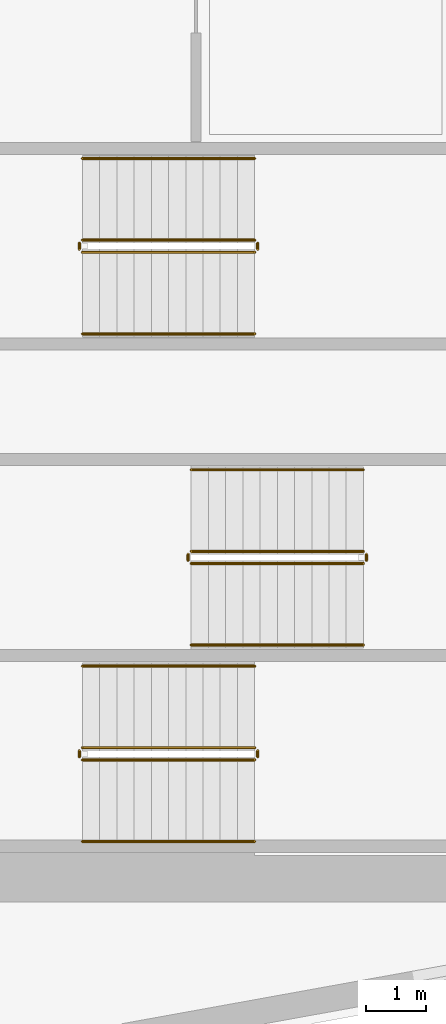
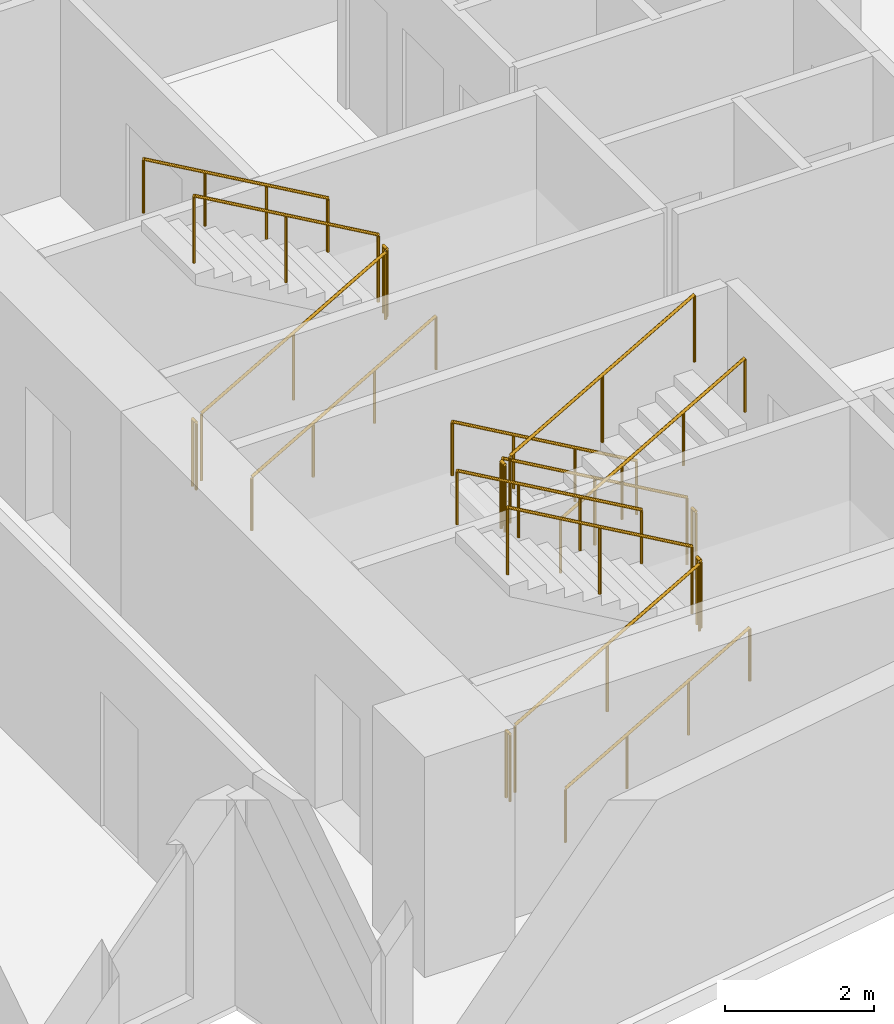
# One storey, part 17 of 18: 18 railings.
"""IFC4 building model written with IfcOpenShell, lengths in metres."""

import ifcopenshell
import ifcopenshell.guid

model = None  # the IFC model being written
_history = None  # IfcOwnerHistory: only IFC2X3 demands one
_inside = {}  # id of a spatial element -> (the spatial element, [elements in it])
_under = {}  # id of a project, library or spatial element -> (it, [spatial elements below it])
_declared = {}  # id of a project -> (the project, [libraries it declares])
_typed = {}  # id of a type object -> (the type object, [elements of that type])
_made_of = {}  # id of a material, layer set ... -> (it, [elements and type objects made of it])


def new_model(schema):
    """Start an empty IFC model of exactly this schema.

    Asked for "IFC4X3", IfcOpenShell would pick the latest addendum, in which some entities
    have other attributes; the version numbers below select the first issue.
    IFC2X3 requires an IfcOwnerHistory on every rooted entity: one is made here for all.
    """
    global model, _history
    if schema == "IFC4X3":
        model = ifcopenshell.file(schema_version=(4, 3, 0, 0))
    else:
        model = ifcopenshell.file(schema=schema)
    _inside.clear()
    _under.clear()
    _declared.clear()
    _typed.clear()
    _made_of.clear()
    _history = None
    if model.schema == "IFC2X3":
        org = make("IfcOrganization", Name="unknown")
        user = make(
            "IfcPersonAndOrganization",
            ThePerson=make("IfcPerson", FamilyName="unknown"),
            TheOrganization=org,
        )
        app = make(
            "IfcApplication",
            ApplicationDeveloper=org,
            Version="unknown",
            ApplicationFullName="unknown",
            ApplicationIdentifier="unknown",
        )
        _history = make(
            "IfcOwnerHistory",
            OwningUser=user,
            OwningApplication=app,
            ChangeAction="ADDED",
            CreationDate=0,
        )
    return model


def make(cls, **values):
    """One entity of the class cls with the attributes given. An attribute that is None is left unset."""
    return model.create_entity(
        cls, **{name: value for name, value in values.items() if value is not None}
    )


def rooted(cls, **values):
    """An entity with a GlobalId (a new one), such as an element, a storey or a relation."""
    return make(cls, GlobalId=ifcopenshell.guid.new(), OwnerHistory=_history, **values)


def si_unit(unit_type, name, prefix=None):
    """IfcSIUnit, for example si_unit("LENGTHUNIT", "METRE", prefix="MILLI")."""
    return make("IfcSIUnit", UnitType=unit_type, Prefix=prefix, Name=name)


def assignment(units):
    """IfcUnitAssignment: the units of a project."""
    return None if units is None else make("IfcUnitAssignment", Units=units)


def point(xyz):
    """IfcCartesianPoint."""
    return None if xyz is None else make("IfcCartesianPoint", Coordinates=xyz)


def direction(xyz):
    """IfcDirection."""
    return None if xyz is None else make("IfcDirection", DirectionRatios=xyz)


def frame(location, z_axis=None, x_axis=None):
    """IfcAxis2Placement3D, a coordinate frame: its origin and axes. An axis left out is left unset."""
    return make(
        "IfcAxis2Placement3D",
        Location=point(location),
        Axis=direction(z_axis),
        RefDirection=direction(x_axis),
    )


def frame_2d(location, x_axis=None):
    """IfcAxis2Placement2D, a coordinate frame in the plane: its origin and x axis."""
    return make(
        "IfcAxis2Placement2D", Location=point(location), RefDirection=direction(x_axis)
    )


def origin():
    """The frame at (0, 0, 0) with its axes left unset."""
    return frame((0.0, 0.0, 0.0))


def origin_2d():
    """The frame at (0, 0) in the plane with its x axis left unset."""
    return frame_2d((0.0, 0.0))


def place(relative_to, where):
    """IfcLocalPlacement: puts the frame where relative to a parent placement (None: the world)."""
    return make(
        "IfcLocalPlacement", PlacementRelTo=relative_to, RelativePlacement=where
    )


def context(
    kind, dimensions, precision=None, world=None, true_north=None, identifier=None
):
    """IfcGeometricRepresentationContext, for example the 3D "Model" context."""
    return make(
        "IfcGeometricRepresentationContext",
        ContextIdentifier=identifier,
        ContextType=kind,
        CoordinateSpaceDimension=dimensions,
        Precision=precision,
        WorldCoordinateSystem=world,
        TrueNorth=true_north,
    )


def subcontext(parent, identifier, kind, view, scale=None):
    """IfcGeometricRepresentationSubContext, for example "Body" below "Model"."""
    return make(
        "IfcGeometricRepresentationSubContext",
        ContextIdentifier=identifier,
        ContextType=kind,
        ParentContext=parent,
        TargetScale=scale,
        TargetView=view,
    )


def project(units=None, contexts=None):
    """IfcProject with its units and contexts."""
    return rooted(
        "IfcProject",
        Name="project",
        RepresentationContexts=contexts,
        UnitsInContext=assignment(units),
    )


def spatial(cls, under=None, at=None, **own):
    """A site, building, storey or space (cls), placed at a placement, below another one or the project."""
    s = rooted(cls, ObjectPlacement=at, **own)
    if under is not None:
        _under.setdefault(under.id(), (under, []))[1].append(s)
    return s


def profile(cls, at=None, kind="AREA", **sizes):
    """A parametric profile (cls). Its sizes go by their IFC names, for example OverallWidth=200.0."""
    return make(cls, ProfileType=kind, Position=at, **sizes)


def circle(**sizes):
    """IfcCircleProfileDef."""
    return profile("IfcCircleProfileDef", **sizes)


def extrude(swept, where, along, depth):
    """IfcExtrudedAreaSolid: the profile swept, set in the frame where, extruded along a direction by depth."""
    return make(
        "IfcExtrudedAreaSolid",
        SweptArea=swept,
        Position=where,
        ExtrudedDirection=direction(along),
        Depth=depth,
    )


def shape(context_of_items, identifier, shape_type, items):
    """IfcShapeRepresentation: the items that make up one representation, for example the "Body"."""
    return make(
        "IfcShapeRepresentation",
        ContextOfItems=context_of_items,
        RepresentationIdentifier=identifier,
        RepresentationType=shape_type,
        Items=items,
    )


def material(Name=None, Category=None):
    """IfcMaterial."""
    return make("IfcMaterial", Name=Name, Category=Category)


def made_of(thing, what):
    """Note that an element or type object is made of a material, layer set ...; save() writes the relation."""
    if what is not None:
        _made_of.setdefault(what.id(), (what, []))[1].append(thing)
    return thing


def type_object(cls, material=None, **own):
    """A type object (cls), such as IfcWallType, which elements share."""
    return made_of(rooted(cls, **own), material)


def element(
    cls,
    number,
    at=None,
    inside=None,
    cuts=None,
    type_object=None,
    material=None,
    context=None,
    identifier="Body",
    shape_type=None,
    held_by="IfcProductDefinitionShape",
    body=None,
    shapes=None,
    **own,
):
    """One element of the class cls, such as IfcWall. Its Tag is "e" and its number.

    at: its placement. inside: the storey or other place that contains it. cuts: it is an
    opening in that element (IfcRelVoidsElement). A single representation is given by context,
    identifier, shape_type and body (its items); several are given by shapes. held_by: the class
    of the entity that holds the representations. save() writes the other relations.
    """
    e = rooted(cls, Tag="e%d" % number, ObjectPlacement=at, **own)
    if body is not None:
        shapes = [shape(context, identifier, shape_type, body)]
    if shapes is not None:
        e.Representation = make(held_by, Representations=shapes)
    if inside is not None:
        _inside.setdefault(inside.id(), (inside, []))[1].append(e)
    if cuts is not None:
        rooted(
            "IfcRelVoidsElement", RelatingBuildingElement=cuts, RelatedOpeningElement=e
        )
    if type_object is not None:
        _typed.setdefault(type_object.id(), (type_object, []))[1].append(e)
    return made_of(e, material)


def aggregate(whole, parts):
    """IfcRelAggregates: a whole, such as a stair, and the parts it consists of."""
    return rooted("IfcRelAggregates", RelatingObject=whole, RelatedObjects=parts)


def save(model, path):
    """Write the relations noted so far, then the file.

    IfcRelAggregates (storeys below a building ...), IfcRelContainedInSpatialStructure (elements
    in a storey), IfcRelDefinesByType, IfcRelAssociatesMaterial and IfcRelDeclares: one each for
    every whole, place, type object, material and project.
    """
    for whole, parts in _under.values():
        aggregate(whole, parts)
    for where, things in _inside.values():
        rooted(
            "IfcRelContainedInSpatialStructure",
            RelatedElements=things,
            RelatingStructure=where,
        )
    for kind, things in _typed.values():
        rooted("IfcRelDefinesByType", RelatedObjects=things, RelatingType=kind)
    for what, things in _made_of.values():
        rooted("IfcRelAssociatesMaterial", RelatedObjects=things, RelatingMaterial=what)
    for by, libraries in _declared.values():
        rooted("IfcRelDeclares", RelatingContext=by, RelatedDefinitions=libraries)
    model.write(path)


model = new_model("IFC4")

# Units and contexts
model_context = context("Model", 3, precision=1e-05, world=origin(), true_north=direction((0.0, 1.0)))
body_context = subcontext(model_context, "Body", "Model", "MODEL_VIEW")
ifc_project = project(units=[si_unit("LENGTHUNIT", "METRE"), si_unit("AREAUNIT", "SQUARE_METRE"), si_unit("VOLUMEUNIT", "CUBIC_METRE"), si_unit("PLANEANGLEUNIT", "RADIAN"), si_unit("MASSUNIT", "GRAM", prefix="KILO")], contexts=[model_context])

# Site, building, storey
site_placement = place(None, origin())
site = spatial("IfcSite", under=ifc_project, at=site_placement, CompositionType="ELEMENT")
building_placement = place(site_placement, origin())
building = spatial("IfcBuilding", under=site, at=building_placement, Name="Narakoshi Arena Tower", CompositionType="ELEMENT")
storey_placement = place(building_placement, frame((0.0, 0.0, 110.10009765625)))
storey = spatial("IfcBuildingStorey", under=building, at=storey_placement, Name="L29", CompositionType="ELEMENT", Elevation=110.10009765625)

# Railings
ifc_material_1 = material(Name="Clear low-iron laminated structural glass", Category="glass")
railing_type_1 = type_object("IfcRailingType", Name="RL-BAL-1100", PredefinedType="BALUSTRADE", material=ifc_material_1)
railing_1_placement = place(storey_placement, frame((74.39990234375, 36.949951171875, 0.16357421875)))
element("IfcRailing", 1, at=railing_1_placement, inside=storey, type_object=railing_type_1, Name="L29 ST1 stair guard 1", PredefinedType="BALUSTRADE", context=body_context, shape_type="SweptSolid", body=[
    extrude(circle(Radius=0.02392578125, at=origin_2d()), frame((0.0, 0.0, 1.09619140625), z_axis=(0.867244780686, 0.0, 0.497882004468), x_axis=(0.0, 1.0, 0.0)), (0.0, 0.0, 1.0), 3.286376953125),
    extrude(circle(Radius=0.02099609375, at=origin_2d()), origin(), (0.0, 0.0, 1.0), 1.072021484375),
    extrude(circle(Radius=0.02099609375, at=origin_2d()), frame((1.425048828125, 0.0, 0.818115234375)), (0.0, 0.0, 1.0), 1.072021484375),
    extrude(circle(Radius=0.02099609375, at=origin_2d()), frame((2.85009765625, 0.0, 1.63623046875)), (0.0, 0.0, 1.0), 1.072021484375),
])
railing_2_placement = place(storey_placement, frame((77.300048828125, 37.0, 1.7998046875)))
element("IfcRailing", 2, at=railing_2_placement, inside=storey, type_object=railing_type_1, Name="L29 ST1 stair guard 2", PredefinedType="BALUSTRADE", context=body_context, shape_type="SweptSolid", body=[
    extrude(circle(Radius=0.02392578125, at=origin_2d()), frame((0.0, 0.0, 1.09619140625), z_axis=(0.0, 1.0, 0.0), x_axis=(-1.0, 0.0, 0.0)), (0.0, 0.0, 1.0), 0.10009765625),
    extrude(circle(Radius=0.02099609375, at=origin_2d()), origin(), (0.0, 0.0, 1.0), 1.072021484375),
    extrude(circle(Radius=0.02099609375, at=origin_2d()), frame((0.0, 0.10009765625, 0.0)), (0.0, 0.0, 1.0), 1.072021484375),
])
railing_3_placement = place(storey_placement, frame((77.25, 37.14990234375, 1.963623046875)))
element("IfcRailing", 3, at=railing_3_placement, inside=storey, type_object=railing_type_1, Name="L29 ST1 stair guard 3", PredefinedType="BALUSTRADE", context=body_context, shape_type="SweptSolid", body=[
    extrude(circle(Radius=0.02392578125, at=origin_2d()), frame((0.0, 0.0, 1.09619140625), z_axis=(-0.867244780686, 0.0, 0.497882004468), x_axis=(0.0, -1.0, 0.0)), (0.0, 0.0, 1.0), 3.286376953125),
    extrude(circle(Radius=0.02099609375, at=origin_2d()), origin(), (0.0, 0.0, 1.0), 1.072021484375),
    extrude(circle(Radius=0.02099609375, at=origin_2d()), frame((-1.425048828125, 0.0, 0.818115234375)), (0.0, 0.0, 1.0), 1.072021484375),
    extrude(circle(Radius=0.02099609375, at=origin_2d()), frame((-2.85009765625, 0.0, 1.63623046875)), (0.0, 0.0, 1.0), 1.072021484375),
])
railing_4_placement = place(storey_placement, frame((74.35009765625, 37.0, 0.0)))
element("IfcRailing", 4, at=railing_4_placement, inside=storey, type_object=railing_type_1, Name="L29 ST1 stair guard 4", PredefinedType="BALUSTRADE", context=body_context, shape_type="SweptSolid", body=[
    extrude(circle(Radius=0.02392578125, at=origin_2d()), frame((0.0, 0.0, 1.09619140625), z_axis=(0.0, 1.0, 0.0), x_axis=(-1.0, 0.0, 0.0)), (0.0, 0.0, 1.0), 0.10009765625),
    extrude(circle(Radius=0.02099609375, at=origin_2d()), origin(), (0.0, 0.0, 1.0), 1.072021484375),
    extrude(circle(Radius=0.02099609375, at=origin_2d()), frame((0.0, 0.10009765625, 0.0)), (0.0, 0.0, 1.0), 1.072021484375),
])
railing_5_placement = place(storey_placement, frame((79.050048828125, 40.39990234375, 0.16357421875)))
element("IfcRailing", 5, at=railing_5_placement, inside=storey, type_object=railing_type_1, Name="L29 ST2 stair guard 1", PredefinedType="BALUSTRADE", context=body_context, shape_type="SweptSolid", body=[
    extrude(circle(Radius=0.02392578125, at=origin_2d()), frame((0.0, 0.0, 1.09619140625), z_axis=(-0.867244780686, 0.0, 0.497882004468), x_axis=(0.0, -1.0, 0.0)), (0.0, 0.0, 1.0), 3.286376953125),
    extrude(circle(Radius=0.02099609375, at=origin_2d()), origin(), (0.0, 0.0, 1.0), 1.072021484375),
    extrude(circle(Radius=0.02099609375, at=origin_2d()), frame((-1.425048828125, 0.0, 0.818115234375)), (0.0, 0.0, 1.0), 1.072021484375),
    extrude(circle(Radius=0.02099609375, at=origin_2d()), frame((-2.85009765625, 0.0, 1.63623046875)), (0.0, 0.0, 1.0), 1.072021484375),
])
railing_6_placement = place(storey_placement, frame((76.14990234375, 40.35009765625, 1.7998046875)))
element("IfcRailing", 6, at=railing_6_placement, inside=storey, type_object=railing_type_1, Name="L29 ST2 stair guard 2", PredefinedType="BALUSTRADE", context=body_context, shape_type="SweptSolid", body=[
    extrude(circle(Radius=0.02392578125, at=origin_2d()), frame((0.0, 0.0, 1.09619140625), z_axis=(0.0, -1.0, 0.0), x_axis=(1.0, 0.0, 0.0)), (0.0, 0.0, 1.0), 0.10009765625),
    extrude(circle(Radius=0.02099609375, at=origin_2d()), origin(), (0.0, 0.0, 1.0), 1.072021484375),
    extrude(circle(Radius=0.02099609375, at=origin_2d()), frame((0.0, -0.10009765625, 0.0)), (0.0, 0.0, 1.0), 1.072021484375),
])
railing_7_placement = place(storey_placement, frame((76.199951171875, 40.199951171875, 1.963623046875)))
element("IfcRailing", 7, at=railing_7_placement, inside=storey, type_object=railing_type_1, Name="L29 ST2 stair guard 3", PredefinedType="BALUSTRADE", context=body_context, shape_type="SweptSolid", body=[
    extrude(circle(Radius=0.02392578125, at=origin_2d()), frame((0.0, 0.0, 1.09619140625), z_axis=(0.867244780686, 0.0, 0.497882004468), x_axis=(0.0, 1.0, 0.0)), (0.0, 0.0, 1.0), 3.286376953125),
    extrude(circle(Radius=0.02099609375, at=origin_2d()), origin(), (0.0, 0.0, 1.0), 1.072021484375),
    extrude(circle(Radius=0.02099609375, at=origin_2d()), frame((1.425048828125, 0.0, 0.818115234375)), (0.0, 0.0, 1.0), 1.072021484375),
    extrude(circle(Radius=0.02099609375, at=origin_2d()), frame((2.85009765625, 0.0, 1.63623046875)), (0.0, 0.0, 1.0), 1.072021484375),
])
railing_8_placement = place(storey_placement, frame((79.10009765625, 40.35009765625, 0.0)))
element("IfcRailing", 8, at=railing_8_placement, inside=storey, type_object=railing_type_1, Name="L29 ST2 stair guard 4", PredefinedType="BALUSTRADE", context=body_context, shape_type="SweptSolid", body=[
    extrude(circle(Radius=0.02392578125, at=origin_2d()), frame((0.0, 0.0, 1.09619140625), z_axis=(0.0, -1.0, 0.0), x_axis=(1.0, 0.0, 0.0)), (0.0, 0.0, 1.0), 0.10009765625),
    extrude(circle(Radius=0.02099609375, at=origin_2d()), origin(), (0.0, 0.0, 1.0), 1.072021484375),
    extrude(circle(Radius=0.02099609375, at=origin_2d()), frame((0.0, -0.10009765625, 0.0)), (0.0, 0.0, 1.0), 1.072021484375),
])
railing_9_placement = place(storey_placement, frame((74.39990234375, 45.35009765625, 0.16357421875)))
element("IfcRailing", 9, at=railing_9_placement, inside=storey, type_object=railing_type_1, Name="L29 ST3 stair guard 1", PredefinedType="BALUSTRADE", context=body_context, shape_type="SweptSolid", body=[
    extrude(circle(Radius=0.02392578125, at=origin_2d()), frame((0.0, 0.0, 1.09619140625), z_axis=(0.867244780686, 0.0, 0.497882004468), x_axis=(0.0, 1.0, 0.0)), (0.0, 0.0, 1.0), 3.286376953125),
    extrude(circle(Radius=0.02099609375, at=origin_2d()), origin(), (0.0, 0.0, 1.0), 1.072021484375),
    extrude(circle(Radius=0.02099609375, at=origin_2d()), frame((1.425048828125, 0.0, 0.818115234375)), (0.0, 0.0, 1.0), 1.072021484375),
    extrude(circle(Radius=0.02099609375, at=origin_2d()), frame((2.85009765625, 0.0, 1.63623046875)), (0.0, 0.0, 1.0), 1.072021484375),
])
railing_10_placement = place(storey_placement, frame((77.300048828125, 45.39990234375, 1.7998046875)))
element("IfcRailing", 10, at=railing_10_placement, inside=storey, type_object=railing_type_1, Name="L29 ST3 stair guard 2", PredefinedType="BALUSTRADE", context=body_context, shape_type="SweptSolid", body=[
    extrude(circle(Radius=0.02392578125, at=origin_2d()), frame((0.0, 0.0, 1.09619140625), z_axis=(0.0, 1.0, 0.0), x_axis=(-1.0, 0.0, 0.0)), (0.0, 0.0, 1.0), 0.10009765625),
    extrude(circle(Radius=0.02099609375, at=origin_2d()), origin(), (0.0, 0.0, 1.0), 1.072021484375),
    extrude(circle(Radius=0.02099609375, at=origin_2d()), frame((0.0, 0.10009765625, 0.0)), (0.0, 0.0, 1.0), 1.072021484375),
])
railing_11_placement = place(storey_placement, frame((77.25, 45.550048828125, 1.963623046875)))
element("IfcRailing", 11, at=railing_11_placement, inside=storey, type_object=railing_type_1, Name="L29 ST3 stair guard 3", PredefinedType="BALUSTRADE", context=body_context, shape_type="SweptSolid", body=[
    extrude(circle(Radius=0.02392578125, at=origin_2d()), frame((0.0, 0.0, 1.09619140625), z_axis=(-0.867244780686, 0.0, 0.497882004468), x_axis=(0.0, -1.0, 0.0)), (0.0, 0.0, 1.0), 3.286376953125),
    extrude(circle(Radius=0.02099609375, at=origin_2d()), origin(), (0.0, 0.0, 1.0), 1.072021484375),
    extrude(circle(Radius=0.02099609375, at=origin_2d()), frame((-1.425048828125, 0.0, 0.818115234375)), (0.0, 0.0, 1.0), 1.072021484375),
    extrude(circle(Radius=0.02099609375, at=origin_2d()), frame((-2.85009765625, 0.0, 1.63623046875)), (0.0, 0.0, 1.0), 1.072021484375),
])
railing_12_placement = place(storey_placement, frame((74.35009765625, 45.39990234375, 0.0)))
element("IfcRailing", 12, at=railing_12_placement, inside=storey, type_object=railing_type_1, Name="L29 ST3 stair guard 4", PredefinedType="BALUSTRADE", context=body_context, shape_type="SweptSolid", body=[
    extrude(circle(Radius=0.02392578125, at=origin_2d()), frame((0.0, 0.0, 1.09619140625), z_axis=(0.0, 1.0, 0.0), x_axis=(-1.0, 0.0, 0.0)), (0.0, 0.0, 1.0), 0.10009765625),
    extrude(circle(Radius=0.02099609375, at=origin_2d()), origin(), (0.0, 0.0, 1.0), 1.072021484375),
    extrude(circle(Radius=0.02099609375, at=origin_2d()), frame((0.0, 0.10009765625, 0.0)), (0.0, 0.0, 1.0), 1.072021484375),
])
ifc_material_2 = material(Name="Brushed bronze stainless steel", Category="steel")
railing_type_2 = type_object("IfcRailingType", Name="RL-HND-900", PredefinedType="HANDRAIL", material=ifc_material_2)
railing_13_placement = place(storey_placement, frame((74.39990234375, 35.60009765625, 0.16357421875)))
element("IfcRailing", 13, at=railing_13_placement, inside=storey, type_object=railing_type_2, Name="L29 ST1 stair handrail 1", PredefinedType="HANDRAIL", context=body_context, shape_type="SweptSolid", body=[
    extrude(circle(Radius=0.02392578125, at=origin_2d()), frame((0.0, 0.0, 0.8759765625), z_axis=(0.867244780686, 0.0, 0.497882004468), x_axis=(0.0, 1.0, 0.0)), (0.0, 0.0, 1.0), 3.286376953125),
    extrude(circle(Radius=0.02099609375, at=origin_2d()), origin(), (0.0, 0.0, 1.0), 0.851806640625),
    extrude(circle(Radius=0.02099609375, at=origin_2d()), frame((0.949951171875, 0.0, 0.54541015625)), (0.0, 0.0, 1.0), 0.851806640625),
    extrude(circle(Radius=0.02099609375, at=origin_2d()), frame((1.900146484375, 0.0, 1.0908203125)), (0.0, 0.0, 1.0), 0.851806640625),
    extrude(circle(Radius=0.02099609375, at=origin_2d()), frame((2.85009765625, 0.0, 1.63623046875)), (0.0, 0.0, 1.0), 0.851806640625),
])
for number, where, name in (
    (14, (77.25, 38.5, 1.963623046875), "L29 ST1 stair handrail 2"),
    (15, (79.050048828125, 41.75, 0.16357421875), "L29 ST2 stair handrail 1"),
):
    element("IfcRailing", number, at=place(storey_placement, frame(where)), inside=storey, type_object=railing_type_2, Name=name, PredefinedType="HANDRAIL", context=body_context, shape_type="SweptSolid", body=[
        extrude(circle(Radius=0.02392578125, at=origin_2d()), frame((0.0, 0.0, 0.8759765625), z_axis=(-0.867244780686, 0.0, 0.497882004468), x_axis=(0.0, -1.0, 0.0)), (0.0, 0.0, 1.0), 3.286376953125),
        extrude(circle(Radius=0.02099609375, at=origin_2d()), origin(), (0.0, 0.0, 1.0), 0.851806640625),
        extrude(circle(Radius=0.02099609375, at=origin_2d()), frame((-0.949951171875, 0.0, 0.54541015625)), (0.0, 0.0, 1.0), 0.851806640625),
        extrude(circle(Radius=0.02099609375, at=origin_2d()), frame((-1.900146484375, 0.0, 1.0908203125)), (0.0, 0.0, 1.0), 0.851806640625),
        extrude(circle(Radius=0.02099609375, at=origin_2d()), frame((-2.85009765625, 0.0, 1.63623046875)), (0.0, 0.0, 1.0), 0.851806640625),
    ])
for number, where, name in (
    (16, (76.199951171875, 38.85009765625, 1.963623046875), "L29 ST2 stair handrail 2"),
    (17, (74.39990234375, 44.0, 0.16357421875), "L29 ST3 stair handrail 1"),
):
    element("IfcRailing", number, at=place(storey_placement, frame(where)), inside=storey, type_object=railing_type_2, Name=name, PredefinedType="HANDRAIL", context=body_context, shape_type="SweptSolid", body=[
        extrude(circle(Radius=0.02392578125, at=origin_2d()), frame((0.0, 0.0, 0.8759765625), z_axis=(0.867244780686, 0.0, 0.497882004468), x_axis=(0.0, 1.0, 0.0)), (0.0, 0.0, 1.0), 3.286376953125),
        extrude(circle(Radius=0.02099609375, at=origin_2d()), origin(), (0.0, 0.0, 1.0), 0.851806640625),
        extrude(circle(Radius=0.02099609375, at=origin_2d()), frame((0.949951171875, 0.0, 0.54541015625)), (0.0, 0.0, 1.0), 0.851806640625),
        extrude(circle(Radius=0.02099609375, at=origin_2d()), frame((1.900146484375, 0.0, 1.0908203125)), (0.0, 0.0, 1.0), 0.851806640625),
        extrude(circle(Radius=0.02099609375, at=origin_2d()), frame((2.85009765625, 0.0, 1.63623046875)), (0.0, 0.0, 1.0), 0.851806640625),
    ])
railing_14_placement = place(storey_placement, frame((77.25, 46.89990234375, 1.963623046875)))
element("IfcRailing", 18, at=railing_14_placement, inside=storey, type_object=railing_type_2, Name="L29 ST3 stair handrail 2", PredefinedType="HANDRAIL", context=body_context, shape_type="SweptSolid", body=[
    extrude(circle(Radius=0.02392578125, at=origin_2d()), frame((0.0, 0.0, 0.8759765625), z_axis=(-0.867244780686, 0.0, 0.497882004468), x_axis=(0.0, -1.0, 0.0)), (0.0, 0.0, 1.0), 3.286376953125),
    extrude(circle(Radius=0.02099609375, at=origin_2d()), origin(), (0.0, 0.0, 1.0), 0.851806640625),
    extrude(circle(Radius=0.02099609375, at=origin_2d()), frame((-0.949951171875, 0.0, 0.54541015625)), (0.0, 0.0, 1.0), 0.851806640625),
    extrude(circle(Radius=0.02099609375, at=origin_2d()), frame((-1.900146484375, 0.0, 1.0908203125)), (0.0, 0.0, 1.0), 0.851806640625),
    extrude(circle(Radius=0.02099609375, at=origin_2d()), frame((-2.85009765625, 0.0, 1.63623046875)), (0.0, 0.0, 1.0), 0.851806640625),
])

save(model, "model.ifc")
